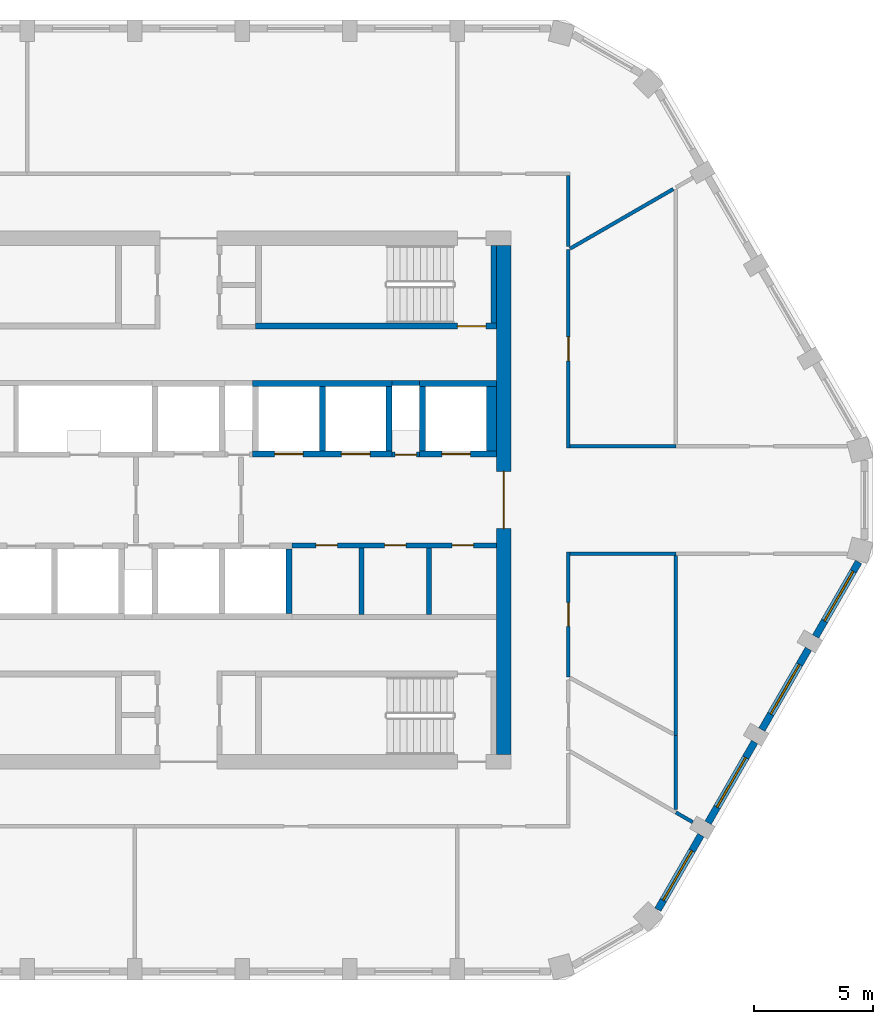
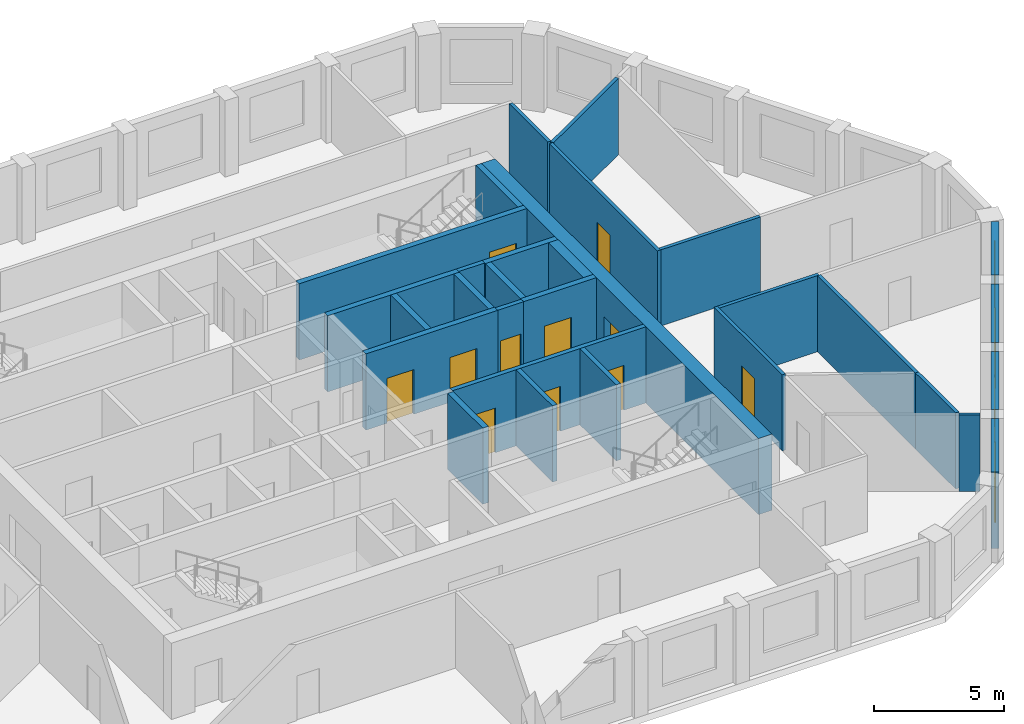
# One storey, part 5 of 9: 30 walls, 11 doors, 4 windows, 15 openings.
"""IFC4 building model written with IfcOpenShell, lengths in metres."""

from ifc_helpers import new_model, si_unit, direction, frame, frame_2d, origin, place, context, subcontext, project, spatial, polyline, rectangle, outline, extrude, material, layer, layer_set, type_object, element, fill, save


model = new_model("IFC4")

# Units and contexts
model_context = context("Model", 3, precision=1e-05, world=origin(), true_north=direction((0.0, 1.0)))
body_context = subcontext(model_context, "Body", "Model", "MODEL_VIEW")
ifc_project = project(units=[si_unit("LENGTHUNIT", "METRE"), si_unit("AREAUNIT", "SQUARE_METRE"), si_unit("VOLUMEUNIT", "CUBIC_METRE"), si_unit("PLANEANGLEUNIT", "RADIAN"), si_unit("MASSUNIT", "GRAM", prefix="KILO")], contexts=[model_context])

# Site, building, storey
site_placement = place(None, origin())
site = spatial("IfcSite", under=ifc_project, at=site_placement, CompositionType="ELEMENT")
building_placement = place(site_placement, origin())
building = spatial("IfcBuilding", under=site, at=building_placement, Name="Dhurran Vertical Campus", CompositionType="ELEMENT")
storey_placement = place(building_placement, frame((0.0, 0.0, 294.300048828125)))
storey = spatial("IfcBuildingStorey", under=building, at=storey_placement, Name="L73", CompositionType="ELEMENT", Elevation=294.300048828125)

# Wall, opening, window
ifc_material_1 = material(Name="Precast concrete C50/60", Category="concrete")
ifc_layer_1 = layer(ifc_material_1, 0.300048828125)
ifc_layer_set_1 = layer_set([ifc_layer_1], Name="Precast concrete C50/60")
wall_type_1 = type_object("IfcWallType", Name="Precast spandrel wall 300", PredefinedType="SOLIDWALL", material=ifc_layer_set_1)
wall_1_placement = place(storey_placement, frame((19.64404296875, -17.143798828125, 0.0), z_axis=(0.0, 0.0, 1.0), x_axis=(0.50001992892, 0.866013897511, 0.0)))
wall_1 = element("IfcWall", 1, at=wall_1_placement, inside=storey, type_object=wall_type_1, Name="EW1 L73.08", PredefinedType="SOLIDWALL", context=body_context, shape_type="SweptSolid", body=[
    extrude(rectangle(XDim=3.599365234375, YDim=0.300048828125, at=frame_2d((1.7998046875, 0.0))), origin(), (0.0, 0.0, 1.0), 3.574951171875),
])
opening_1_placement = place(wall_1_placement, frame((0.449951171875, 0.0, 0.89990234375)))
opening_1 = element("IfcOpeningElement", 2, at=opening_1_placement, cuts=wall_1, Name="Opening WT1", PredefinedType="OPENING", context=body_context, shape_type="SweptSolid", body=[
    extrude(rectangle(XDim=2.39990234375, YDim=2.10009765625, at=frame_2d((1.199951171875, 1.050048828125))), frame((0.0, 0.159912109375, 0.0), z_axis=(0.0, -1.0, 0.0), x_axis=(1.0, 0.0, 0.0)), (0.0, 0.0, 1.0), 0.320068359375),
])
ifc_material_2 = material(Name="Aluminium frame with solar-control glass", Category="aluminium")
window_type = type_object("IfcWindowType", Name="Punched window 2400 x 2100", PartitioningType="SINGLE_PANEL", PredefinedType="WINDOW", material=ifc_material_2)
window_1_placement = place(opening_1_placement, origin())
window_1 = element("IfcWindow", 3, at=window_1_placement, inside=storey, type_object=window_type, Name="WT1 L73.08", OverallHeight=2.10009765625, OverallWidth=2.39990234375, PartitioningType="SINGLE_PANEL", PredefinedType="WINDOW", context=body_context, shape_type="SweptSolid", body=[
    extrude(rectangle(XDim=2.39990234375, YDim=2.10009765625, at=frame_2d((1.199951171875, 1.050048828125))), frame((0.0, 0.030029296875, 0.0), z_axis=(0.0, -1.0, 0.0), x_axis=(1.0, 0.0, 0.0)), (0.0, 0.0, 1.0), 0.06005859375),
])
fill(opening_1, window_1)

wall_2_placement = place(storey_placement, frame((21.744384765625, -13.506103515625, 0.0), z_axis=(0.0, 0.0, 1.0), x_axis=(0.499984428715, 0.866034393683, 0.0)))
wall_2 = element("IfcWall", 4, at=wall_2_placement, inside=storey, type_object=wall_type_1, Name="EW1 L73.09", PredefinedType="SOLIDWALL", context=body_context, shape_type="SweptSolid", body=[
    extrude(rectangle(XDim=3.89892578125, YDim=0.300048828125, at=frame_2d((1.949462890625, 0.0))), origin(), (0.0, 0.0, 1.0), 3.574951171875),
])
opening_2_placement = place(wall_2_placement, frame((0.74951171875, 0.0, 0.89990234375)))
opening_2 = element("IfcOpeningElement", 5, at=opening_2_placement, cuts=wall_2, Name="Opening WT1", PredefinedType="OPENING", context=body_context, shape_type="SweptSolid", body=[
    extrude(rectangle(XDim=2.39990234375, YDim=2.10009765625, at=frame_2d((1.199951171875, 1.050048828125))), frame((0.0, 0.159912109375, 0.0), z_axis=(0.0, -1.0, 0.0), x_axis=(1.0, 0.0, 0.0)), (0.0, 0.0, 1.0), 0.320068359375),
])
window_2_placement = place(opening_2_placement, origin())
window_2 = element("IfcWindow", 6, at=window_2_placement, inside=storey, type_object=window_type, Name="WT1 L73.09", OverallHeight=2.10009765625, OverallWidth=2.39990234375, PartitioningType="SINGLE_PANEL", PredefinedType="WINDOW", context=body_context, shape_type="SweptSolid", body=[
    extrude(rectangle(XDim=2.39990234375, YDim=2.10009765625, at=frame_2d((1.199951171875, 1.050048828125))), frame((0.0, 0.030029296875, 0.0), z_axis=(0.0, -1.0, 0.0), x_axis=(1.0, 0.0, 0.0)), (0.0, 0.0, 1.0), 0.06005859375),
])
fill(opening_2, window_2)

wall_3_placement = place(storey_placement, frame((23.994384765625, -9.60888671875, 0.0), z_axis=(0.0, 0.0, 1.0), x_axis=(0.500011542666, 0.866018739521, 0.0)))
wall_3 = element("IfcWall", 7, at=wall_3_placement, inside=storey, type_object=wall_type_1, Name="EW1 L73.10", PredefinedType="SOLIDWALL", context=body_context, shape_type="SweptSolid", body=[
    extrude(rectangle(XDim=3.89892578125, YDim=0.300048828125, at=frame_2d((1.949462890625, 0.0))), origin(), (0.0, 0.0, 1.0), 3.574951171875),
])
opening_3_placement = place(wall_3_placement, frame((0.74951171875, 0.0, 0.89990234375)))
opening_3 = element("IfcOpeningElement", 8, at=opening_3_placement, cuts=wall_3, Name="Opening WT1", PredefinedType="OPENING", context=body_context, shape_type="SweptSolid", body=[
    extrude(rectangle(XDim=2.39990234375, YDim=2.10009765625, at=frame_2d((1.199951171875, 1.050048828125))), frame((0.0, 0.159912109375, 0.0), z_axis=(0.0, -1.0, 0.0), x_axis=(1.0, 0.0, 0.0)), (0.0, 0.0, 1.0), 0.320068359375),
])
window_3_placement = place(opening_3_placement, origin())
window_3 = element("IfcWindow", 9, at=window_3_placement, inside=storey, type_object=window_type, Name="WT1 L73.10", OverallHeight=2.10009765625, OverallWidth=2.39990234375, PartitioningType="SINGLE_PANEL", PredefinedType="WINDOW", context=body_context, shape_type="SweptSolid", body=[
    extrude(rectangle(XDim=2.39990234375, YDim=2.10009765625, at=frame_2d((1.199951171875, 1.050048828125))), frame((0.0, 0.030029296875, 0.0), z_axis=(0.0, -1.0, 0.0), x_axis=(1.0, 0.0, 0.0)), (0.0, 0.0, 1.0), 0.06005859375),
])
fill(opening_3, window_3)

wall_4_placement = place(storey_placement, frame((26.244384765625, -5.7119140625, 0.0), z_axis=(0.0, 0.0, 1.0), x_axis=(0.499969057507, 0.866043267704, 0.0)))
wall_4 = element("IfcWall", 10, at=wall_4_placement, inside=storey, type_object=wall_type_1, Name="EW1 L73.11", PredefinedType="SOLIDWALL", context=body_context, shape_type="SweptSolid", body=[
    extrude(rectangle(XDim=3.599365234375, YDim=0.300048828125, at=frame_2d((1.7998046875, 0.0))), origin(), (0.0, 0.0, 1.0), 3.574951171875),
])
opening_4_placement = place(wall_4_placement, frame((0.74951171875, 0.0, 0.89990234375)))
opening_4 = element("IfcOpeningElement", 11, at=opening_4_placement, cuts=wall_4, Name="Opening WT1", PredefinedType="OPENING", context=body_context, shape_type="SweptSolid", body=[
    extrude(rectangle(XDim=2.39990234375, YDim=2.10009765625, at=frame_2d((1.199951171875, 1.050048828125))), frame((0.0, 0.159912109375, 0.0), z_axis=(0.0, -1.0, 0.0), x_axis=(1.0, 0.0, 0.0)), (0.0, 0.0, 1.0), 0.320068359375),
])
window_4_placement = place(opening_4_placement, origin())
window_4 = element("IfcWindow", 12, at=window_4_placement, inside=storey, type_object=window_type, Name="WT1 L73.11", OverallHeight=2.10009765625, OverallWidth=2.39990234375, PartitioningType="SINGLE_PANEL", PredefinedType="WINDOW", context=body_context, shape_type="SweptSolid", body=[
    extrude(rectangle(XDim=2.39990234375, YDim=2.10009765625, at=frame_2d((1.199951171875, 1.050048828125))), frame((0.0, 0.030029296875, 0.0), z_axis=(0.0, -1.0, 0.0), x_axis=(1.0, 0.0, 0.0)), (0.0, 0.0, 1.0), 0.06005859375),
])
fill(opening_4, window_4)

# Wall, opening, door
ifc_material_3 = material(Name="Concrete C50/60", Category="concrete")
ifc_layer_2 = layer(ifc_material_3, 0.60009765625)
ifc_layer_set_2 = layer_set([ifc_layer_2], Name="Concrete C50/60")
wall_type_2 = type_object("IfcWallType", Name="co-CORE-WALL-C2-600", PredefinedType="SHEAR", material=ifc_layer_set_2)
wall_5_placement = place(storey_placement, frame((13.199951171875, -10.64990234375, 0.0), z_axis=(0.0, 0.0, 1.0), x_axis=(0.0, 1.0, 0.0)))
wall_5 = element("IfcWall", 13, at=wall_5_placement, inside=storey, type_object=wall_type_2, Name="Core wall E L73", PredefinedType="SHEAR", context=body_context, shape_type="SweptSolid", body=[
    extrude(rectangle(XDim=21.2998046875, YDim=0.60009765625, at=frame_2d((10.64990234375, 0.0))), origin(), (0.0, 0.0, 1.0), 3.574951171875),
])
opening_5_placement = place(wall_5_placement, frame((9.449951171875, 0.0, 0.0)))
opening_5 = element("IfcOpeningElement", 14, at=opening_5_placement, cuts=wall_5, Name="Opening CL2", PredefinedType="OPENING", context=body_context, shape_type="SweptSolid", body=[
    extrude(rectangle(XDim=2.39990234375, YDim=2.10009765625, at=frame_2d((1.199951171875, 1.050048828125))), frame((0.0, 0.31005859375, 0.0), z_axis=(0.0, -1.0, 0.0), x_axis=(1.0, 0.0, 0.0)), (0.0, 0.0, 1.0), 0.6201171875),
])
ifc_material_4 = material(Name="Fire-rated glazed door set")
door_type_1 = type_object("IfcDoorType", Name="co-D-LOBBY 2400x2100", OperationType="DOUBLE_DOOR_DOUBLE_SWING", PredefinedType="DOOR", material=ifc_material_4)
door_1_placement = place(opening_5_placement, origin())
door_1 = element("IfcDoor", 15, at=door_1_placement, inside=storey, type_object=door_type_1, Name="Lift lobby door E L73", OperationType="DOUBLE_DOOR_DOUBLE_SWING", OverallHeight=2.10009765625, OverallWidth=2.39990234375, PredefinedType="DOOR", context=body_context, shape_type="SweptSolid", body=[
    extrude(rectangle(XDim=2.39990234375, YDim=2.10009765625, at=frame_2d((1.199951171875, 1.050048828125))), frame((0.0, 0.02490234375, 0.0), z_axis=(0.0, -1.0, 0.0), x_axis=(1.0, 0.0, 0.0)), (0.0, 0.0, 1.0), 0.050048828125),
])
fill(opening_5, door_1)

ifc_material_5 = material(Name="Fire-rated masonry blockwork", Category="masonry")
ifc_layer_3 = layer(ifc_material_5, 0.199951171875)
ifc_layer_set_3 = layer_set([ifc_layer_3], Name="Fire-rated masonry blockwork")
wall_type_3 = type_object("IfcWallType", Name="co-FIRE-PARTITION-200", PredefinedType="PARTITIONING", material=ifc_layer_set_3)
wall_6_placement = place(storey_placement, frame((8.52490234375, 1.89990234375, 0.0), z_axis=(0.0, 0.0, 1.0), x_axis=(1.0, 0.0, 0.0)))
wall_6 = element("IfcWall", 16, at=wall_6_placement, inside=storey, type_object=wall_type_3, Name="Core partition fr-N2-f L73", PredefinedType="PARTITIONING", context=body_context, shape_type="SweptSolid", body=[
    extrude(rectangle(XDim=1.150146484375, YDim=0.199951171875, at=frame_2d((0.5751953125, 0.0))), origin(), (0.0, 0.0, 1.0), 3.574951171875),
])
opening_6_placement = place(wall_6_placement, frame((0.125, 0.0, 0.0)))
opening_6 = element("IfcOpeningElement", 17, at=opening_6_placement, cuts=wall_6, Name="Opening T21-C10", PredefinedType="OPENING", context=body_context, shape_type="SweptSolid", body=[
    extrude(rectangle(XDim=0.89990234375, YDim=2.10009765625, at=frame_2d((0.449951171875, 1.050048828125))), frame((0.0, 0.10986328125, 0.0), z_axis=(0.0, -1.0, 0.0), x_axis=(1.0, 0.0, 0.0)), (0.0, 0.0, 1.0), 0.219970703125),
])
ifc_material_6 = material(Name="Fire-rated timber door set", Category="wood")
door_type_2 = type_object("IfcDoorType", Name="co-D-ROOM 900x2100", OperationType="SINGLE_SWING_LEFT", PredefinedType="DOOR", material=ifc_material_6)
door_2_placement = place(opening_6_placement, origin())
door_2 = element("IfcDoor", 18, at=door_2_placement, inside=storey, type_object=door_type_2, Name="Communications riser door L73", OperationType="SINGLE_SWING_LEFT", OverallHeight=2.10009765625, OverallWidth=0.89990234375, PredefinedType="DOOR", context=body_context, shape_type="SweptSolid", body=[
    extrude(rectangle(XDim=0.89990234375, YDim=2.10009765625, at=frame_2d((0.449951171875, 1.050048828125))), frame((0.0, 0.02490234375, 0.0), z_axis=(0.0, -1.0, 0.0), x_axis=(1.0, 0.0, 0.0)), (0.0, 0.0, 1.0), 0.050048828125),
])
fill(opening_6, door_2)

# Walls
wall_7_placement = place(storey_placement, frame((8.52490234375, 4.89990234375, 0.0), z_axis=(0.0, 0.0, 1.0), x_axis=(1.0, 0.0, 0.0)))
element("IfcWall", 19, at=wall_7_placement, inside=storey, type_object=wall_type_3, Name="Core partition fr-N2-b L73", PredefinedType="PARTITIONING", context=body_context, shape_type="SweptSolid", body=[
    extrude(rectangle(XDim=1.150146484375, YDim=0.199951171875, at=frame_2d((0.5751953125, 0.0))), origin(), (0.0, 0.0, 1.0), 3.574951171875),
])
for number, where, z_axis, x_axis, name in (
    (20, (7.240478515625, -4.800048828125, 0.0), (0.0, 0.0, 1.0), (0.0, 1.0, 0.0), "Core partition fr-S2-cut0 L73"),
    (21, (10.0703125, -4.800048828125, 0.0), (0.0, 0.0, 1.0), (0.0, 1.0, 0.0), "Core partition fr-S2-cut1 L73"),
):
    element("IfcWall", number, at=place(storey_placement, frame(where, z_axis=z_axis, x_axis=x_axis)), inside=storey, type_object=wall_type_3, Name=name, PredefinedType="PARTITIONING", context=body_context, shape_type="SweptSolid", body=[
        extrude(rectangle(XDim=2.800048828125, YDim=0.199951171875, at=frame_2d((1.39990234375, 0.0))), origin(), (0.0, 0.0, 1.0), 3.574951171875),
    ])

# Wall, openings, doors
wall_8_placement = place(storey_placement, frame((4.324951171875, -1.89990234375, 0.0), z_axis=(0.0, 0.0, 1.0), x_axis=(1.0, 0.0, 0.0)))
wall_8 = element("IfcWall", 22, at=wall_8_placement, inside=storey, type_object=wall_type_3, Name="Core partition fr-S2-f L73", PredefinedType="PARTITIONING", context=body_context, shape_type="SweptSolid", body=[
    extrude(rectangle(XDim=8.574951171875, YDim=0.199951171875, at=frame_2d((4.28759765625, 0.0))), origin(), (0.0, 0.0, 1.0), 3.574951171875),
])
opening_7_placement = place(wall_8_placement, frame((1.0078125, 0.0, 0.0)))
opening_7 = element("IfcOpeningElement", 23, at=opening_7_placement, cuts=wall_8, Name="Opening T21-C13", PredefinedType="OPENING", context=body_context, shape_type="SweptSolid", body=[
    extrude(rectangle(XDim=0.89990234375, YDim=2.10009765625, at=frame_2d((0.449951171875, 1.050048828125))), frame((0.0, 0.10986328125, 0.0), z_axis=(0.0, -1.0, 0.0), x_axis=(1.0, 0.0, 0.0)), (0.0, 0.0, 1.0), 0.219970703125),
])
opening_8_placement = place(wall_8_placement, frame((3.88037109375, 0.0, 0.0)))
opening_8 = element("IfcOpeningElement", 24, at=opening_8_placement, cuts=wall_8, Name="Opening T21-C14", PredefinedType="OPENING", context=body_context, shape_type="SweptSolid", body=[
    extrude(rectangle(XDim=0.89990234375, YDim=2.10009765625, at=frame_2d((0.449951171875, 1.050048828125))), frame((0.0, 0.10986328125, 0.0), z_axis=(0.0, -1.0, 0.0), x_axis=(1.0, 0.0, 0.0)), (0.0, 0.0, 1.0), 0.219970703125),
])
opening_9_placement = place(wall_8_placement, frame((6.710205078125, 0.0, 0.0)))
opening_9 = element("IfcOpeningElement", 25, at=opening_9_placement, cuts=wall_8, Name="Opening T21-C15", PredefinedType="OPENING", context=body_context, shape_type="SweptSolid", body=[
    extrude(rectangle(XDim=0.89990234375, YDim=2.10009765625, at=frame_2d((0.449951171875, 1.050048828125))), frame((0.0, 0.10986328125, 0.0), z_axis=(0.0, -1.0, 0.0), x_axis=(1.0, 0.0, 0.0)), (0.0, 0.0, 1.0), 0.219970703125),
])
door_3_placement = place(opening_7_placement, origin())
door_3 = element("IfcDoor", 26, at=door_3_placement, inside=storey, type_object=door_type_2, Name="Housekeeping store door L73", OperationType="SINGLE_SWING_LEFT", OverallHeight=2.10009765625, OverallWidth=0.89990234375, PredefinedType="DOOR", context=body_context, shape_type="SweptSolid", body=[
    extrude(rectangle(XDim=0.89990234375, YDim=2.10009765625, at=frame_2d((0.449951171875, 1.050048828125))), frame((0.0, 0.02490234375, 0.0), z_axis=(0.0, -1.0, 0.0), x_axis=(1.0, 0.0, 0.0)), (0.0, 0.0, 1.0), 0.050048828125),
])
fill(opening_7, door_3)
door_4_placement = place(opening_8_placement, origin())
door_4 = element("IfcDoor", 27, at=door_4_placement, inside=storey, type_object=door_type_2, Name="Print room door L73", OperationType="SINGLE_SWING_LEFT", OverallHeight=2.10009765625, OverallWidth=0.89990234375, PredefinedType="DOOR", context=body_context, shape_type="SweptSolid", body=[
    extrude(rectangle(XDim=0.89990234375, YDim=2.10009765625, at=frame_2d((0.449951171875, 1.050048828125))), frame((0.0, 0.02490234375, 0.0), z_axis=(0.0, -1.0, 0.0), x_axis=(1.0, 0.0, 0.0)), (0.0, 0.0, 1.0), 0.050048828125),
])
fill(opening_8, door_4)
door_5_placement = place(opening_9_placement, origin())
door_5 = element("IfcDoor", 28, at=door_5_placement, inside=storey, type_object=door_type_2, Name="Communications room door L73", OperationType="SINGLE_SWING_LEFT", OverallHeight=2.10009765625, OverallWidth=0.89990234375, PredefinedType="DOOR", context=body_context, shape_type="SweptSolid", body=[
    extrude(rectangle(XDim=0.89990234375, YDim=2.10009765625, at=frame_2d((0.449951171875, 1.050048828125))), frame((0.0, 0.02490234375, 0.0), z_axis=(0.0, -1.0, 0.0), x_axis=(1.0, 0.0, 0.0)), (0.0, 0.0, 1.0), 0.050048828125),
])
fill(opening_9, door_5)

ifc_material_7 = material(Name="Concrete C50/60", Category="concrete")
ifc_layer_4 = layer(ifc_material_7, 0.25)
ifc_layer_set_4 = layer_set([ifc_layer_4], Name="Concrete C50/60")
wall_type_4 = type_object("IfcWallType", Name="co-SHAFT-FRONT-250", PredefinedType="SHEAR", material=ifc_layer_set_4)
wall_9_placement = place(storey_placement, frame((2.675048828125, 1.925048828125, 0.0), z_axis=(0.0, 0.0, 1.0), x_axis=(1.0, 0.0, 0.0)))
wall_9 = element("IfcWall", 29, at=wall_9_placement, inside=storey, type_object=wall_type_4, Name="Lift landing wall N L73", PredefinedType="SHEAR", context=body_context, shape_type="SweptSolid", body=[
    extrude(rectangle(XDim=5.849853515625, YDim=0.25, at=frame_2d((2.9248046875, 0.0))), origin(), (0.0, 0.0, 1.0), 3.574951171875),
])
opening_10_placement = place(wall_9_placement, frame((0.925048828125, 0.0, 0.0)))
opening_10 = element("IfcOpeningElement", 30, at=opening_10_placement, cuts=wall_9, Name="Opening LD", PredefinedType="OPENING", context=body_context, shape_type="SweptSolid", body=[
    extrude(rectangle(XDim=1.199951171875, YDim=2.10009765625, at=frame_2d((0.60009765625, 1.050048828125))), frame((0.0, 0.135009765625, 0.0), z_axis=(0.0, -1.0, 0.0), x_axis=(1.0, 0.0, 0.0)), (0.0, 0.0, 1.0), 0.27001953125),
])
opening_11_placement = place(wall_9_placement, frame((3.72509765625, 0.0, 0.0)))
opening_11 = element("IfcOpeningElement", 31, at=opening_11_placement, cuts=wall_9, Name="Opening LD", PredefinedType="OPENING", context=body_context, shape_type="SweptSolid", body=[
    extrude(rectangle(XDim=1.199951171875, YDim=2.10009765625, at=frame_2d((0.60009765625, 1.050048828125))), frame((0.0, 0.135009765625, 0.0), z_axis=(0.0, -1.0, 0.0), x_axis=(1.0, 0.0, 0.0)), (0.0, 0.0, 1.0), 0.27001953125),
])
ifc_material_8 = material(Name="Stainless steel landing door", Category="steel")
door_type_3 = type_object("IfcDoorType", Name="co-D-LANDING 1200x2100", OperationType="DOUBLE_DOOR_SLIDING", PredefinedType="DOOR", material=ifc_material_8)
door_6_placement = place(opening_10_placement, origin())
door_6 = element("IfcDoor", 32, at=door_6_placement, inside=storey, type_object=door_type_3, Name="Landing door HR1 L73", OperationType="DOUBLE_DOOR_SLIDING", OverallHeight=2.10009765625, OverallWidth=1.199951171875, PredefinedType="DOOR", context=body_context, shape_type="SweptSolid", body=[
    extrude(rectangle(XDim=1.199951171875, YDim=2.10009765625, at=frame_2d((0.60009765625, 1.050048828125))), frame((0.0, 0.02490234375, 0.0), z_axis=(0.0, -1.0, 0.0), x_axis=(1.0, 0.0, 0.0)), (0.0, 0.0, 1.0), 0.050048828125),
])
fill(opening_10, door_6)
door_7_placement = place(opening_11_placement, origin())
door_7 = element("IfcDoor", 33, at=door_7_placement, inside=storey, type_object=door_type_3, Name="Landing door HR2 L73", OperationType="DOUBLE_DOOR_SLIDING", OverallHeight=2.10009765625, OverallWidth=1.199951171875, PredefinedType="DOOR", context=body_context, shape_type="SweptSolid", body=[
    extrude(rectangle(XDim=1.199951171875, YDim=2.10009765625, at=frame_2d((0.60009765625, 1.050048828125))), frame((0.0, 0.02490234375, 0.0), z_axis=(0.0, -1.0, 0.0), x_axis=(1.0, 0.0, 0.0)), (0.0, 0.0, 1.0), 0.050048828125),
])
fill(opening_11, door_7)

# Wall, opening, door
wall_10_placement = place(storey_placement, frame((9.675048828125, 1.925048828125, 0.0), z_axis=(0.0, 0.0, 1.0), x_axis=(1.0, 0.0, 0.0)))
wall_10 = element("IfcWall", 34, at=wall_10_placement, inside=storey, type_object=wall_type_4, Name="Lift landing wall N L73", PredefinedType="SHEAR", context=body_context, shape_type="SweptSolid", body=[
    extrude(rectangle(XDim=3.224853515625, YDim=0.25, at=frame_2d((1.6123046875, 0.0))), origin(), (0.0, 0.0, 1.0), 3.574951171875),
])
opening_12_placement = place(wall_10_placement, frame((0.925048828125, 0.0, 0.0)))
opening_12 = element("IfcOpeningElement", 35, at=opening_12_placement, cuts=wall_10, Name="Opening LD", PredefinedType="OPENING", context=body_context, shape_type="SweptSolid", body=[
    extrude(rectangle(XDim=1.199951171875, YDim=2.10009765625, at=frame_2d((0.60009765625, 1.050048828125))), frame((0.0, 0.135009765625, 0.0), z_axis=(0.0, -1.0, 0.0), x_axis=(1.0, 0.0, 0.0)), (0.0, 0.0, 1.0), 0.27001953125),
])
door_8_placement = place(opening_12_placement, origin())
door_8 = element("IfcDoor", 36, at=door_8_placement, inside=storey, type_object=door_type_3, Name="Landing door SV2 L73", OperationType="DOUBLE_DOOR_SLIDING", OverallHeight=2.10009765625, OverallWidth=1.199951171875, PredefinedType="DOOR", context=body_context, shape_type="SweptSolid", body=[
    extrude(rectangle(XDim=1.199951171875, YDim=2.10009765625, at=frame_2d((0.60009765625, 1.050048828125))), frame((0.0, 0.02490234375, 0.0), z_axis=(0.0, -1.0, 0.0), x_axis=(1.0, 0.0, 0.0)), (0.0, 0.0, 1.0), 0.050048828125),
])
fill(opening_12, door_8)

# Walls
ifc_material_9 = material(Name="Concrete C50/60", Category="concrete")
ifc_layer_5 = layer(ifc_material_9, 0.25)
ifc_layer_set_5 = layer_set([ifc_layer_5], Name="Concrete C50/60")
wall_type_5 = type_object("IfcWallType", Name="co-SHAFT-MASS-250", PredefinedType="SHEAR", material=ifc_layer_set_5)
wall_11_placement = place(storey_placement, origin())
element("IfcWall", 37, at=wall_11_placement, inside=storey, type_object=wall_type_5, Name="Lift shaft wall N L73 2", PredefinedType="SHEAR", context=body_context, shape_type="SweptSolid", body=[
    extrude(outline(polyline([(2.675048828125, 4.75), (8.52490234375, 4.75), (8.52490234375, 5.0), (2.675048828125, 5.0), (2.675048828125, 4.75)])), origin(), (0.0, 0.0, 1.0), 3.574951171875),
])
wall_12_placement = place(storey_placement, origin())
element("IfcWall", 38, at=wall_12_placement, inside=storey, type_object=wall_type_5, Name="Lift shaft wall N L73 3", PredefinedType="SHEAR", context=body_context, shape_type="SweptSolid", body=[
    extrude(outline(polyline([(9.675048828125, 4.75), (12.89990234375, 4.75), (12.89990234375, 5.0), (9.675048828125, 5.0), (9.675048828125, 4.75)])), origin(), (0.0, 0.0, 1.0), 3.574951171875),
])
wall_13_placement = place(storey_placement, origin())
element("IfcWall", 39, at=wall_13_placement, inside=storey, type_object=wall_type_5, Name="Lift shaft wall N L73 7", PredefinedType="SHEAR", context=body_context, shape_type="SweptSolid", body=[
    extrude(outline(polyline([(5.47509765625, 2.050048828125), (5.72509765625, 2.050048828125), (5.72509765625, 4.75), (5.47509765625, 4.75), (5.47509765625, 2.050048828125)])), origin(), (0.0, 0.0, 1.0), 3.574951171875),
])
wall_14_placement = place(storey_placement, origin())
element("IfcWall", 40, at=wall_14_placement, inside=storey, type_object=wall_type_5, Name="Lift shaft wall N L73 8", PredefinedType="SHEAR", context=body_context, shape_type="SweptSolid", body=[
    extrude(outline(polyline([(8.27490234375, 2.050048828125), (8.52490234375, 2.050048828125), (8.52490234375, 4.75), (8.27490234375, 4.75), (8.27490234375, 2.050048828125)])), origin(), (0.0, 0.0, 1.0), 3.574951171875),
])
wall_15_placement = place(storey_placement, origin())
element("IfcWall", 41, at=wall_15_placement, inside=storey, type_object=wall_type_5, Name="Lift shaft wall N L73 9", PredefinedType="SHEAR", context=body_context, shape_type="SweptSolid", body=[
    extrude(outline(polyline([(9.675048828125, 2.050048828125), (9.925048828125, 2.050048828125), (9.925048828125, 4.75), (9.675048828125, 4.75), (9.675048828125, 2.050048828125)])), origin(), (0.0, 0.0, 1.0), 3.574951171875),
])
wall_16_placement = place(storey_placement, origin())
element("IfcWall", 42, at=wall_16_placement, inside=storey, type_object=wall_type_5, Name="Lift shaft wall N L73 10", PredefinedType="SHEAR", context=body_context, shape_type="SweptSolid", body=[
    extrude(outline(polyline([(12.47509765625, 2.050048828125), (12.89990234375, 2.050048828125), (12.89990234375, 4.75), (12.47509765625, 4.75), (12.47509765625, 2.050048828125)])), origin(), (0.0, 0.0, 1.0), 3.574951171875),
])
wall_17_placement = place(storey_placement, origin())
element("IfcWall", 43, at=wall_17_placement, inside=storey, type_object=wall_type_5, Name="Lift shaft wall S L73 9", PredefinedType="SHEAR", context=body_context, shape_type="SweptSolid", body=[
    extrude(outline(polyline([(4.074951171875, -4.75), (4.324951171875, -4.75), (4.324951171875, -2.050048828125), (4.074951171875, -2.050048828125), (4.074951171875, -4.75)])), origin(), (0.0, 0.0, 1.0), 3.574951171875),
])

# Wall, opening, door
ifc_material_10 = material(Name="Concrete C40/50", Category="concrete")
ifc_layer_6 = layer(ifc_material_10, 0.25)
ifc_layer_set_6 = layer_set([ifc_layer_6], Name="Concrete C40/50")
wall_type_6 = type_object("IfcWallType", Name="co-STAIR-WALL-250", PredefinedType="SHEAR", material=ifc_layer_set_6)
wall_18_placement = place(storey_placement, frame((2.800048828125, 7.27490234375, 0.0), z_axis=(0.0, 0.0, 1.0), x_axis=(1.0, 0.0, 0.0)))
wall_18 = element("IfcWall", 44, at=wall_18_placement, inside=storey, type_object=wall_type_6, Name="Stair ST2 enclosure wall L73", PredefinedType="SHEAR", context=body_context, shape_type="SweptSolid", body=[
    extrude(rectangle(XDim=10.099853515625, YDim=0.25, at=frame_2d((5.0498046875, 0.0))), origin(), (0.0, 0.0, 1.0), 3.574951171875),
])
opening_13_placement = place(wall_18_placement, frame((8.449951171875, 0.0, 0.0)))
opening_13 = element("IfcOpeningElement", 45, at=opening_13_placement, cuts=wall_18, Name="Opening SD2", PredefinedType="OPENING", context=body_context, shape_type="SweptSolid", body=[
    extrude(rectangle(XDim=1.199951171875, YDim=2.10009765625, at=frame_2d((0.60009765625, 1.050048828125))), frame((0.0, 0.135009765625, 0.0), z_axis=(0.0, -1.0, 0.0), x_axis=(1.0, 0.0, 0.0)), (0.0, 0.0, 1.0), 0.27001953125),
])
ifc_material_11 = material(Name="Fire-rated steel door set", Category="steel")
door_type_4 = type_object("IfcDoorType", Name="co-D-STAIR 1200x2100", OperationType="SINGLE_SWING_LEFT", PredefinedType="DOOR", material=ifc_material_11)
door_9_placement = place(opening_13_placement, origin())
door_9 = element("IfcDoor", 46, at=door_9_placement, inside=storey, type_object=door_type_4, Name="Stair ST2 door L73", OperationType="SINGLE_SWING_LEFT", OverallHeight=2.10009765625, OverallWidth=1.199951171875, PredefinedType="DOOR", context=body_context, shape_type="SweptSolid", body=[
    extrude(rectangle(XDim=1.199951171875, YDim=2.10009765625, at=frame_2d((0.60009765625, 1.050048828125))), frame((0.0, 0.02490234375, 0.0), z_axis=(0.0, -1.0, 0.0), x_axis=(1.0, 0.0, 0.0)), (0.0, 0.0, 1.0), 0.050048828125),
])
fill(opening_13, door_9)

# Wall
wall_19_placement = place(storey_placement, frame((12.77490234375, 7.39990234375, 0.0), z_axis=(0.0, 0.0, 1.0), x_axis=(0.0, 1.0, 0.0)))
element("IfcWall", 47, at=wall_19_placement, inside=storey, type_object=wall_type_6, Name="Stair ST2 enclosure wall L73", PredefinedType="SHEAR", context=body_context, shape_type="SweptSolid", body=[
    extrude(rectangle(XDim=3.25, YDim=0.25, at=frame_2d((1.625, 0.0))), origin(), (0.0, 0.0, 1.0), 3.574951171875),
])

# Wall, opening, door
ifc_material_12 = material(Name="Gypsum board corridor wall on steel studs", Category="steel")
ifc_layer_7 = layer(ifc_material_12, 0.14990234375)
ifc_layer_set_7 = layer_set([ifc_layer_7], Name="Gypsum board corridor wall on steel studs")
wall_type_7 = type_object("IfcWallType", Name="fl-CW-150 corridor wall", PredefinedType="PARTITIONING", material=ifc_layer_set_7)
wall_20_placement = place(storey_placement, frame((15.89990234375, -7.406005859375, 0.0), z_axis=(0.0, 0.0, 1.0), x_axis=(0.0, 1.0, 0.0)))
wall_20 = element("IfcWall", 48, at=wall_20_placement, inside=storey, type_object=wall_type_7, Name="Partition 73-25", PredefinedType="PARTITIONING", context=body_context, shape_type="SweptSolid", body=[
    extrude(rectangle(XDim=5.23095703125, YDim=0.14990234375, at=frame_2d((2.615478515625, 0.0))), origin(), (0.0, 0.0, 1.0), 3.574951171875),
])
opening_14_placement = place(wall_20_placement, frame((2.115478515625, 0.0, 0.0)))
opening_14 = element("IfcOpeningElement", 49, at=opening_14_placement, cuts=wall_20, Name="Opening T21.13", PredefinedType="OPENING", context=body_context, shape_type="SweptSolid", body=[
    extrude(rectangle(XDim=1.0, YDim=2.10009765625, at=frame_2d((0.5, 1.050048828125))), frame((0.0, 0.0849609375, 0.0), z_axis=(0.0, -1.0, 0.0), x_axis=(1.0, 0.0, 0.0)), (0.0, 0.0, 1.0), 0.169921875),
])
ifc_material_13 = material(Name="Solid-core timber door set, fire-rated", Category="wood")
door_type_5 = type_object("IfcDoorType", Name="fl-D-1000x2100", OperationType="SINGLE_SWING_LEFT", PredefinedType="DOOR", material=ifc_material_13)
door_10_placement = place(opening_14_placement, origin())
door_10 = element("IfcDoor", 50, at=door_10_placement, inside=storey, type_object=door_type_5, Name="Door 73.13", OperationType="SINGLE_SWING_RIGHT", OverallHeight=2.10009765625, OverallWidth=1.0, PredefinedType="DOOR", context=body_context, shape_type="SweptSolid", body=[
    extrude(rectangle(XDim=1.0, YDim=2.10009765625, at=frame_2d((0.5, 1.050048828125))), frame((0.0, 0.02490234375, 0.0), z_axis=(0.0, -1.0, 0.0), x_axis=(1.0, 0.0, 0.0)), (0.0, 0.0, 1.0), 0.050048828125),
])
fill(opening_14, door_10)

# Wall
wall_21_placement = place(storey_placement, frame((20.39990234375, -2.25, 0.0), z_axis=(0.0, 0.0, 1.0), x_axis=(-1.0, 0.0, 0.0)))
element("IfcWall", 51, at=wall_21_placement, inside=storey, type_object=wall_type_7, Name="Partition 73-27", PredefinedType="PARTITIONING", context=body_context, shape_type="SweptSolid", body=[
    extrude(rectangle(XDim=4.4248046875, YDim=0.14990234375, at=frame_2d((2.21240234375, 0.0))), origin(), (0.0, 0.0, 1.0), 3.574951171875),
])

# Wall, opening, door
wall_22_placement = place(storey_placement, frame((15.89990234375, 2.175048828125, 0.0), z_axis=(0.0, 0.0, 1.0), x_axis=(0.0, 1.0, 0.0)))
wall_22 = element("IfcWall", 52, at=wall_22_placement, inside=storey, type_object=wall_type_7, Name="Partition 73-28", PredefinedType="PARTITIONING", context=body_context, shape_type="SweptSolid", body=[
    extrude(rectangle(XDim=8.303955078125, YDim=0.14990234375, at=frame_2d((4.15185546875, 0.0))), origin(), (0.0, 0.0, 1.0), 3.574951171875),
])
opening_15_placement = place(wall_22_placement, frame((3.652099609375, 0.0, 0.0)))
opening_15 = element("IfcOpeningElement", 53, at=opening_15_placement, cuts=wall_22, Name="Opening T21.12", PredefinedType="OPENING", context=body_context, shape_type="SweptSolid", body=[
    extrude(rectangle(XDim=1.0, YDim=2.10009765625, at=frame_2d((0.5, 1.050048828125))), frame((0.0, 0.0849609375, 0.0), z_axis=(0.0, -1.0, 0.0), x_axis=(1.0, 0.0, 0.0)), (0.0, 0.0, 1.0), 0.169921875),
])
door_11_placement = place(opening_15_placement, origin())
door_11 = element("IfcDoor", 54, at=door_11_placement, inside=storey, type_object=door_type_5, Name="Door 73.12", OperationType="SINGLE_SWING_RIGHT", OverallHeight=2.10009765625, OverallWidth=1.0, PredefinedType="DOOR", context=body_context, shape_type="SweptSolid", body=[
    extrude(rectangle(XDim=1.0, YDim=2.10009765625, at=frame_2d((0.5, 1.050048828125))), frame((0.0, 0.02490234375, 0.0), z_axis=(0.0, -1.0, 0.0), x_axis=(1.0, 0.0, 0.0)), (0.0, 0.0, 1.0), 0.050048828125),
])
fill(opening_15, door_11)

# Walls
wall_23_placement = place(storey_placement, frame((15.97509765625, 2.25, 0.0), z_axis=(0.0, 0.0, 1.0), x_axis=(1.0, 0.0, 0.0)))
element("IfcWall", 55, at=wall_23_placement, inside=storey, type_object=wall_type_7, Name="Partition 73-29", PredefinedType="PARTITIONING", context=body_context, shape_type="SweptSolid", body=[
    extrude(rectangle(XDim=4.4248046875, YDim=0.14990234375, at=frame_2d((2.21240234375, 0.0))), origin(), (0.0, 0.0, 1.0), 3.574951171875),
])
wall_24_placement = place(storey_placement, frame((15.89990234375, 10.60888671875, 0.0), z_axis=(0.0, 0.0, 1.0), x_axis=(0.0, 1.0, 0.0)))
element("IfcWall", 56, at=wall_24_placement, inside=storey, type_object=wall_type_7, Name="Partition 73-30", PredefinedType="PARTITIONING", context=body_context, shape_type="SweptSolid", body=[
    extrude(rectangle(XDim=2.966064453125, YDim=0.14990234375, at=frame_2d((1.48291015625, 0.0))), origin(), (0.0, 0.0, 1.0), 3.574951171875),
])
ifc_material_14 = material(Name="Gypsum board partition on steel studs", Category="steel")
ifc_layer_8 = layer(ifc_material_14, 0.14990234375)
ifc_layer_set_8 = layer_set([ifc_layer_8], Name="Gypsum board partition on steel studs")
wall_type_8 = type_object("IfcWallType", Name="fl-PW-150 fixed partition", PredefinedType="PARTITIONING", material=ifc_layer_set_8)
wall_25_placement = place(storey_placement, frame((20.287353515625, 13.011962890625, 0.0), z_axis=(0.0, 0.0, 1.0), x_axis=(-0.866034070548, -0.499984988425, 0.0)))
element("IfcWall", 57, at=wall_25_placement, inside=storey, type_object=wall_type_8, Name="Partition 73-31", PredefinedType="PARTITIONING", context=body_context, shape_type="SweptSolid", body=[
    extrude(rectangle(XDim=4.990966796875, YDim=0.14990234375, at=frame_2d((2.49560546875, 0.0))), origin(), (0.0, 0.0, 1.0), 3.574951171875),
])
wall_26_placement = place(storey_placement, frame((20.39990234375, -9.85400390625, 0.0), z_axis=(0.0, 0.0, 1.0), x_axis=(0.0, -1.0, 0.0)))
element("IfcWall", 58, at=wall_26_placement, inside=storey, type_object=wall_type_8, Name="Partition 73-32", PredefinedType="PARTITIONING", context=body_context, shape_type="SweptSolid", body=[
    extrude(rectangle(XDim=3.093017578125, YDim=0.14990234375, at=frame_2d((1.54638671875, 0.0))), origin(), (0.0, 0.0, 1.0), 3.574951171875),
])
wall_27_placement = place(storey_placement, frame((20.39990234375, -13.076904296875, 0.0), z_axis=(0.0, 0.0, 1.0), x_axis=(0.866080027667, -0.499905376722, 0.0)))
element("IfcWall", 59, at=wall_27_placement, inside=storey, type_object=wall_type_8, Name="Partition 73-33", PredefinedType="PARTITIONING", context=body_context, shape_type="SweptSolid", body=[
    extrude(rectangle(XDim=0.808837890625, YDim=0.14990234375, at=frame_2d((0.404296875, 0.0))), origin(), (0.0, 0.0, 1.0), 3.574951171875),
])
wall_28_placement = place(storey_placement, frame((20.39990234375, -2.324951171875, 0.0), z_axis=(0.0, 0.0, 1.0), x_axis=(0.0, -1.0, 0.0)))
element("IfcWall", 60, at=wall_28_placement, inside=storey, type_object=wall_type_8, Name="Partition 73-34", PredefinedType="PARTITIONING", context=body_context, shape_type="SweptSolid", body=[
    extrude(rectangle(XDim=7.529052734375, YDim=0.14990234375, at=frame_2d((3.7646484375, 0.0))), origin(), (0.0, 0.0, 1.0), 3.574951171875),
])

save(model, "model.ifc")
